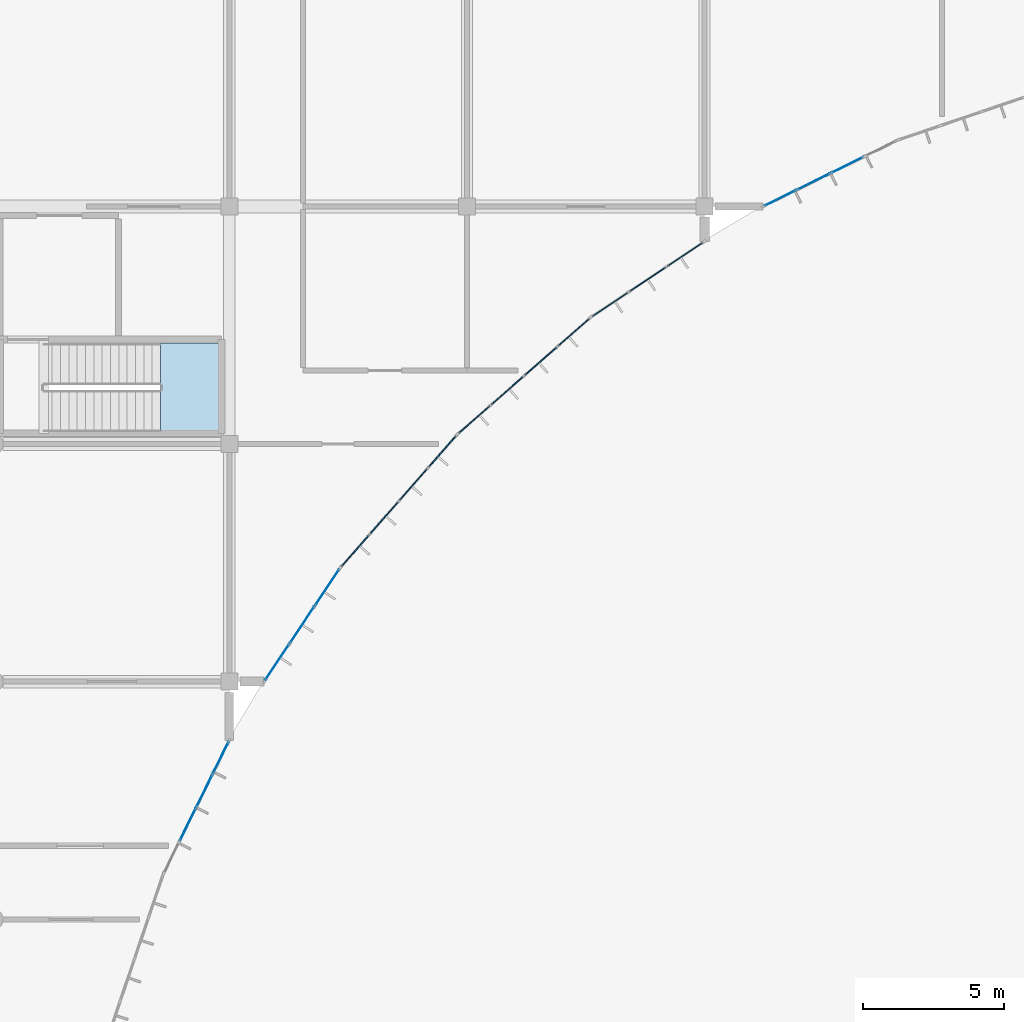
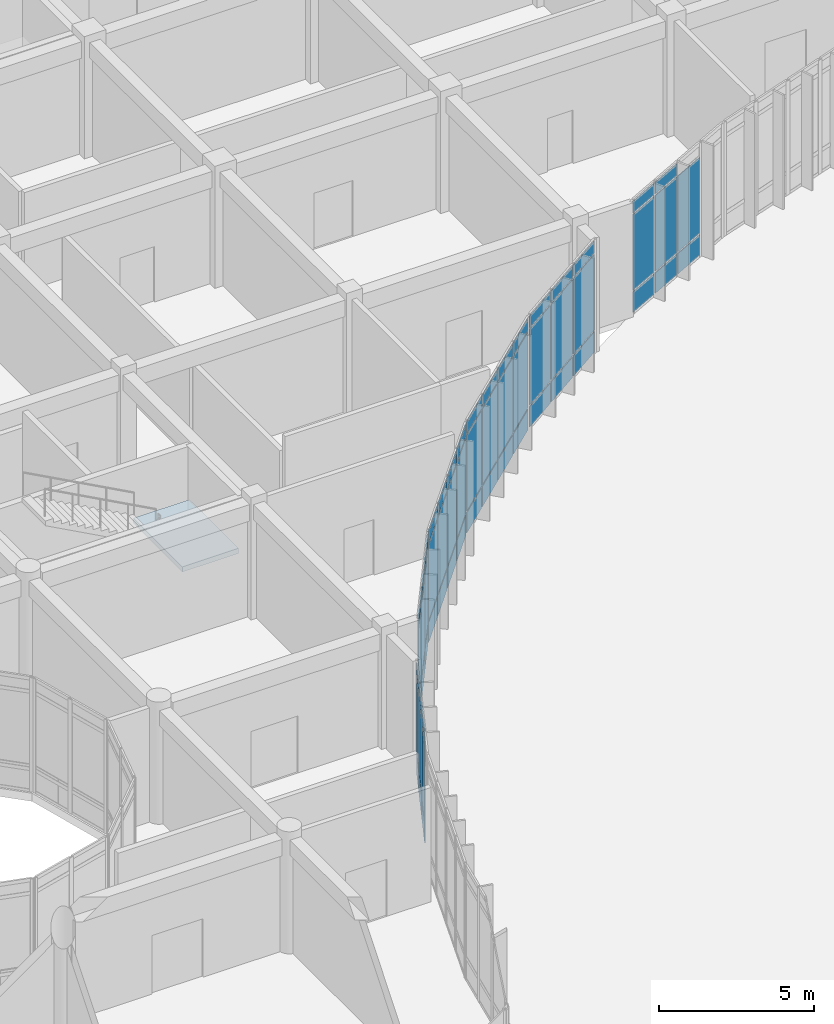
# One storey, part 80 of 138: 59 plates, 1 slab, 7 elements without a shape of their own.
"""IFC4 building model written with IfcOpenShell, lengths in metres."""

from ifc_helpers import new_model, si_unit, direction, frame, origin, origin_2d, place, context, subcontext, project, spatial, polyline, rectangle, outline, extrude, material, layer, layer_set, type_object, element, aggregate, save


model = new_model("IFC4")

# Units and contexts
model_context = context("Model", 3, precision=1e-05, world=origin(), true_north=direction((0.0, 1.0)))
body_context = subcontext(model_context, "Body", "Model", "MODEL_VIEW")
ifc_project = project(units=[si_unit("LENGTHUNIT", "METRE"), si_unit("AREAUNIT", "SQUARE_METRE"), si_unit("VOLUMEUNIT", "CUBIC_METRE"), si_unit("PLANEANGLEUNIT", "RADIAN"), si_unit("MASSUNIT", "GRAM", prefix="KILO")], contexts=[model_context])

# Site, building, storey
site_placement = place(None, origin())
site = spatial("IfcSite", under=ifc_project, at=site_placement, CompositionType="ELEMENT")
building_placement = place(site_placement, origin())
building = spatial("IfcBuilding", under=site, at=building_placement, Name="Bramfleet General Hospital", CompositionType="ELEMENT")
storey_placement = place(building_placement, origin())
storey = spatial("IfcBuildingStorey", under=building, at=storey_placement, Name="L00", CompositionType="ELEMENT", Elevation=0.0)

# Curtain wall, plates
ifc_material_1 = material(Name="Anodised aluminium and low-E triple glazing", Category="aluminium")
ifc_layer_1 = layer(ifc_material_1, 0.179931640625, Name="CWT-CW-13")
ifc_layer_set_1 = layer_set([ifc_layer_1], Name="Anodised aluminium and low-E triple glazing")
curtain_wall_type_1 = type_object("IfcCurtainWallType", Name="CWT-CW-13", PredefinedType="USERDEFINED", material=ifc_layer_set_1)
curtain_wall_1_placement = place(storey_placement, origin())
curtain_wall_1 = element("IfcCurtainWall", 1, at=curtain_wall_1_placement, inside=storey, type_object=curtain_wall_type_1, Name="L00 Curtain Wall 13", ObjectType="Stick curtain wall", PredefinedType="USERDEFINED")
ifc_material_2 = material(Name="Low-E laminated safety glass", Category="glass")
ifc_layer_2 = layer(ifc_material_2, 0.028076171875, Name="CWP-GLZ-1")
ifc_layer_set_2 = layer_set([ifc_layer_2], Name="Low-E laminated safety glass")
plate_type_1 = type_object("IfcPlateType", Name="CWP-GLZ-1", PredefinedType="CURTAIN_PANEL", material=ifc_layer_set_2)
plate_1_placement = place(storey_placement, frame((156.2470703125, 85.46630859375, 0.06494140625), z_axis=(0.0, 0.0, 1.0), x_axis=(-0.896864723513, -0.442304948782, 0.0)))
plate_1 = element("IfcPlate", 2, at=plate_1_placement, type_object=plate_type_1, Name="CW-13 panel 2.1", PredefinedType="CURTAIN_PANEL", context=body_context, shape_type="SweptSolid", body=[
    extrude(rectangle(XDim=1.256103515625, YDim=0.028076171875, at=origin_2d()), origin(), (0.0, 0.0, 1.0), 0.802490234375),
])
plate_2_placement = place(storey_placement, frame((156.2470703125, 85.46630859375, 0.932373046875), z_axis=(0.0, 0.0, 1.0), x_axis=(-0.896864723513, -0.442304948782, 0.0)))
plate_2 = element("IfcPlate", 3, at=plate_2_placement, type_object=plate_type_1, Name="CW-13 panel 2.2", PredefinedType="CURTAIN_PANEL", context=body_context, shape_type="SweptSolid", body=[
    extrude(rectangle(XDim=1.256103515625, YDim=0.028076171875, at=origin_2d()), origin(), (0.0, 0.0, 1.0), 2.97509765625),
])
plate_3_placement = place(storey_placement, frame((155.057861328125, 84.879638671875, 0.06494140625), z_axis=(0.0, 0.0, 1.0), x_axis=(-0.896864723513, -0.442304948782, 0.0)))
plate_3 = element("IfcPlate", 4, at=plate_3_placement, type_object=plate_type_1, Name="CW-13 panel 3.1", PredefinedType="CURTAIN_PANEL", context=body_context, shape_type="SweptSolid", body=[
    extrude(rectangle(XDim=1.256103515625, YDim=0.028076171875, at=origin_2d()), origin(), (0.0, 0.0, 1.0), 0.802490234375),
])
plate_4_placement = place(storey_placement, frame((155.057861328125, 84.879638671875, 0.932373046875), z_axis=(0.0, 0.0, 1.0), x_axis=(-0.896864723513, -0.442304948782, 0.0)))
plate_4 = element("IfcPlate", 5, at=plate_4_placement, type_object=plate_type_1, Name="CW-13 panel 3.2", PredefinedType="CURTAIN_PANEL", context=body_context, shape_type="SweptSolid", body=[
    extrude(rectangle(XDim=1.256103515625, YDim=0.028076171875, at=origin_2d()), origin(), (0.0, 0.0, 1.0), 2.97509765625),
])
plate_5_placement = place(storey_placement, frame((155.057861328125, 84.879638671875, 3.97265625), z_axis=(0.0, 0.0, 1.0), x_axis=(-0.896864723513, -0.442304948782, 0.0)))
plate_5 = element("IfcPlate", 6, at=plate_5_placement, type_object=plate_type_1, Name="CW-13 panel 3.3", PredefinedType="CURTAIN_PANEL", context=body_context, shape_type="SweptSolid", body=[
    extrude(rectangle(XDim=1.256103515625, YDim=0.028076171875, at=origin_2d()), origin(), (0.0, 0.0, 1.0), 0.452392578125),
])
plate_6_placement = place(storey_placement, frame((153.88427734375, 84.301025390625, 0.06494140625), z_axis=(0.0, 0.0, 1.0), x_axis=(-0.896864723513, -0.442304948782, 0.0)))
plate_6 = element("IfcPlate", 7, at=plate_6_placement, type_object=plate_type_1, Name="CW-13 panel 4.1", PredefinedType="CURTAIN_PANEL", context=body_context, shape_type="SweptSolid", body=[
    extrude(rectangle(XDim=1.220947265625, YDim=0.028076171875, at=origin_2d()), origin(), (0.0, 0.0, 1.0), 0.802490234375),
])
plate_7_placement = place(storey_placement, frame((153.88427734375, 84.301025390625, 0.932373046875), z_axis=(0.0, 0.0, 1.0), x_axis=(-0.896864723513, -0.442304948782, 0.0)))
plate_7 = element("IfcPlate", 8, at=plate_7_placement, type_object=plate_type_1, Name="CW-13 panel 4.2", PredefinedType="CURTAIN_PANEL", context=body_context, shape_type="SweptSolid", body=[
    extrude(rectangle(XDim=1.220947265625, YDim=0.028076171875, at=origin_2d()), origin(), (0.0, 0.0, 1.0), 2.97509765625),
])
plate_8_placement = place(storey_placement, frame((153.88427734375, 84.301025390625, 3.97265625), z_axis=(0.0, 0.0, 1.0), x_axis=(-0.896864723513, -0.442304948782, 0.0)))
plate_8 = element("IfcPlate", 9, at=plate_8_placement, type_object=plate_type_1, Name="CW-13 panel 4.3", PredefinedType="CURTAIN_PANEL", context=body_context, shape_type="SweptSolid", body=[
    extrude(rectangle(XDim=1.220947265625, YDim=0.028076171875, at=origin_2d()), origin(), (0.0, 0.0, 1.0), 0.452392578125),
])
aggregate(curtain_wall_1, [plate_1, plate_2, plate_3, plate_4, plate_5, plate_6, plate_7, plate_8])

ifc_layer_3 = layer(ifc_material_1, 0.179931640625, Name="CWT-CW-17")
ifc_layer_set_3 = layer_set([ifc_layer_3], Name="Anodised aluminium and low-E triple glazing")
curtain_wall_type_2 = type_object("IfcCurtainWallType", Name="CWT-CW-17", PredefinedType="USERDEFINED", material=ifc_layer_set_3)
curtain_wall_2_placement = place(storey_placement, origin())
curtain_wall_2 = element("IfcCurtainWall", 10, at=curtain_wall_2_placement, inside=storey, type_object=curtain_wall_type_2, Name="L00 Curtain Wall 17", ObjectType="Stick curtain wall", PredefinedType="USERDEFINED")
plate_9_placement = place(storey_placement, frame((137.861572265625, 70.536376953125, 0.06494140625), z_axis=(0.0, 0.0, 1.0), x_axis=(-0.555463530135, -0.831540898988, 0.0)))
plate_9 = element("IfcPlate", 11, at=plate_9_placement, type_object=plate_type_1, Name="CW-17 panel 1.1", PredefinedType="CURTAIN_PANEL", context=body_context, shape_type="SweptSolid", body=[
    extrude(rectangle(XDim=1.5068359375, YDim=0.028076171875, at=origin_2d()), origin(), (0.0, 0.0, 1.0), 0.802490234375),
])
plate_10_placement = place(storey_placement, frame((137.861572265625, 70.536376953125, 0.932373046875), z_axis=(0.0, 0.0, 1.0), x_axis=(-0.555463530135, -0.831540898988, 0.0)))
plate_10 = element("IfcPlate", 12, at=plate_10_placement, type_object=plate_type_1, Name="CW-17 panel 1.2", PredefinedType="CURTAIN_PANEL", context=body_context, shape_type="SweptSolid", body=[
    extrude(rectangle(XDim=1.5068359375, YDim=0.028076171875, at=origin_2d()), origin(), (0.0, 0.0, 1.0), 2.97509765625),
])
plate_11_placement = place(storey_placement, frame((137.861572265625, 70.536376953125, 3.97265625), z_axis=(0.0, 0.0, 1.0), x_axis=(-0.555463530135, -0.831540898988, 0.0)))
plate_11 = element("IfcPlate", 13, at=plate_11_placement, type_object=plate_type_1, Name="CW-17 panel 1.3", PredefinedType="CURTAIN_PANEL", context=body_context, shape_type="SweptSolid", body=[
    extrude(rectangle(XDim=1.5068359375, YDim=0.028076171875, at=origin_2d()), origin(), (0.0, 0.0, 1.0), 0.452392578125),
])
plate_12_placement = place(storey_placement, frame((136.97607421875, 69.21044921875, 0.06494140625), z_axis=(0.0, 0.0, 1.0), x_axis=(-0.555463530135, -0.831540898988, 0.0)))
plate_12 = element("IfcPlate", 14, at=plate_12_placement, type_object=plate_type_1, Name="CW-17 panel 2.1", PredefinedType="CURTAIN_PANEL", context=body_context, shape_type="SweptSolid", body=[
    extrude(rectangle(XDim=1.541748046875, YDim=0.028076171875, at=origin_2d()), origin(), (0.0, 0.0, 1.0), 0.802490234375),
])
plate_13_placement = place(storey_placement, frame((136.97607421875, 69.21044921875, 0.932373046875), z_axis=(0.0, 0.0, 1.0), x_axis=(-0.555463530135, -0.831540898988, 0.0)))
plate_13 = element("IfcPlate", 15, at=plate_13_placement, type_object=plate_type_1, Name="CW-17 panel 2.2", PredefinedType="CURTAIN_PANEL", context=body_context, shape_type="SweptSolid", body=[
    extrude(rectangle(XDim=1.541748046875, YDim=0.028076171875, at=origin_2d()), origin(), (0.0, 0.0, 1.0), 2.97509765625),
])
plate_14_placement = place(storey_placement, frame((136.97607421875, 69.21044921875, 3.97265625), z_axis=(0.0, 0.0, 1.0), x_axis=(-0.555463530135, -0.831540898988, 0.0)))
plate_14 = element("IfcPlate", 16, at=plate_14_placement, type_object=plate_type_1, Name="CW-17 panel 2.3", PredefinedType="CURTAIN_PANEL", context=body_context, shape_type="SweptSolid", body=[
    extrude(rectangle(XDim=1.541748046875, YDim=0.028076171875, at=origin_2d()), origin(), (0.0, 0.0, 1.0), 0.452392578125),
])
plate_15_placement = place(storey_placement, frame((136.09033203125, 67.884765625, 0.06494140625), z_axis=(0.0, 0.0, 1.0), x_axis=(-0.555463530135, -0.831540898988, 0.0)))
plate_15 = element("IfcPlate", 17, at=plate_15_placement, type_object=plate_type_1, Name="CW-17 panel 3.1", PredefinedType="CURTAIN_PANEL", context=body_context, shape_type="SweptSolid", body=[
    extrude(rectangle(XDim=1.5068359375, YDim=0.028076171875, at=origin_2d()), origin(), (0.0, 0.0, 1.0), 0.802490234375),
])
plate_16_placement = place(storey_placement, frame((136.09033203125, 67.884765625, 0.932373046875), z_axis=(0.0, 0.0, 1.0), x_axis=(-0.555463530135, -0.831540898988, 0.0)))
plate_16 = element("IfcPlate", 18, at=plate_16_placement, type_object=plate_type_1, Name="CW-17 panel 3.2", PredefinedType="CURTAIN_PANEL", context=body_context, shape_type="SweptSolid", body=[
    extrude(rectangle(XDim=1.5068359375, YDim=0.028076171875, at=origin_2d()), origin(), (0.0, 0.0, 1.0), 2.97509765625),
])
plate_17_placement = place(storey_placement, frame((136.09033203125, 67.884765625, 3.97265625), z_axis=(0.0, 0.0, 1.0), x_axis=(-0.555463530135, -0.831540898988, 0.0)))
plate_17 = element("IfcPlate", 19, at=plate_17_placement, type_object=plate_type_1, Name="CW-17 panel 3.3", PredefinedType="CURTAIN_PANEL", context=body_context, shape_type="SweptSolid", body=[
    extrude(rectangle(XDim=1.5068359375, YDim=0.028076171875, at=origin_2d()), origin(), (0.0, 0.0, 1.0), 0.452392578125),
])
aggregate(curtain_wall_2, [plate_9, plate_10, plate_11, plate_12, plate_13, plate_14, plate_15, plate_16, plate_17])

ifc_layer_4 = layer(ifc_material_1, 0.179931640625, Name="CWT-CW-14")
ifc_layer_set_4 = layer_set([ifc_layer_4], Name="Anodised aluminium and low-E triple glazing")
curtain_wall_type_3 = type_object("IfcCurtainWallType", Name="CWT-CW-14", PredefinedType="USERDEFINED", material=ifc_layer_set_4)
curtain_wall_3_placement = place(storey_placement, origin())
curtain_wall_3 = element("IfcCurtainWall", 20, at=curtain_wall_3_placement, inside=storey, type_object=curtain_wall_type_3, Name="L00 Curtain Wall 14", ObjectType="Stick curtain wall", PredefinedType="USERDEFINED")
ifc_layer_5 = layer(ifc_material_2, 0.031982421875, Name="CWP-GLZ-2")
ifc_layer_set_5 = layer_set([ifc_layer_5], Name="Low-E laminated safety glass")
plate_type_2 = type_object("IfcPlateType", Name="CWP-GLZ-2", PredefinedType="CURTAIN_PANEL", material=ifc_layer_set_5)
plate_18_placement = place(storey_placement, frame((150.515380859375, 82.3095703125, 0.06494140625), z_axis=(0.0, 0.0, 1.0), x_axis=(-0.831540898988, -0.555463530135, 0.0)))
plate_18 = element("IfcPlate", 21, at=plate_18_placement, type_object=plate_type_2, Name="CW-14 panel 1.1", PredefinedType="CURTAIN_PANEL", context=body_context, shape_type="SweptSolid", body=[
    extrude(rectangle(XDim=1.5068359375, YDim=0.031982421875, at=origin_2d()), origin(), (0.0, 0.0, 1.0), 0.802490234375),
])
plate_19_placement = place(storey_placement, frame((150.515380859375, 82.3095703125, 0.932373046875), z_axis=(0.0, 0.0, 1.0), x_axis=(-0.831540898988, -0.555463530135, 0.0)))
plate_19 = element("IfcPlate", 22, at=plate_19_placement, type_object=plate_type_2, Name="CW-14 panel 1.2", PredefinedType="CURTAIN_PANEL", context=body_context, shape_type="SweptSolid", body=[
    extrude(rectangle(XDim=1.5068359375, YDim=0.031982421875, at=origin_2d()), origin(), (0.0, 0.0, 1.0), 2.97509765625),
])
plate_20_placement = place(storey_placement, frame((150.515380859375, 82.3095703125, 3.97265625), z_axis=(0.0, 0.0, 1.0), x_axis=(-0.831540898988, -0.555463530135, 0.0)))
plate_20 = element("IfcPlate", 23, at=plate_20_placement, type_object=plate_type_2, Name="CW-14 panel 1.3", PredefinedType="CURTAIN_PANEL", context=body_context, shape_type="SweptSolid", body=[
    extrude(rectangle(XDim=1.5068359375, YDim=0.031982421875, at=origin_2d()), origin(), (0.0, 0.0, 1.0), 0.452392578125),
])
plate_21_placement = place(storey_placement, frame((149.189453125, 81.424072265625, 0.06494140625), z_axis=(0.0, 0.0, 1.0), x_axis=(-0.831540898988, -0.555463530135, 0.0)))
plate_21 = element("IfcPlate", 24, at=plate_21_placement, type_object=plate_type_2, Name="CW-14 panel 2.1", PredefinedType="CURTAIN_PANEL", context=body_context, shape_type="SweptSolid", body=[
    extrude(rectangle(XDim=1.541748046875, YDim=0.031982421875, at=origin_2d()), origin(), (0.0, 0.0, 1.0), 0.802490234375),
])
plate_22_placement = place(storey_placement, frame((149.189453125, 81.424072265625, 0.932373046875), z_axis=(0.0, 0.0, 1.0), x_axis=(-0.831540898988, -0.555463530135, 0.0)))
plate_22 = element("IfcPlate", 25, at=plate_22_placement, type_object=plate_type_2, Name="CW-14 panel 2.2", PredefinedType="CURTAIN_PANEL", context=body_context, shape_type="SweptSolid", body=[
    extrude(rectangle(XDim=1.541748046875, YDim=0.031982421875, at=origin_2d()), origin(), (0.0, 0.0, 1.0), 2.97509765625),
])
plate_23_placement = place(storey_placement, frame((149.189453125, 81.424072265625, 3.97265625), z_axis=(0.0, 0.0, 1.0), x_axis=(-0.831540898988, -0.555463530135, 0.0)))
plate_23 = element("IfcPlate", 26, at=plate_23_placement, type_object=plate_type_2, Name="CW-14 panel 2.3", PredefinedType="CURTAIN_PANEL", context=body_context, shape_type="SweptSolid", body=[
    extrude(rectangle(XDim=1.541748046875, YDim=0.031982421875, at=origin_2d()), origin(), (0.0, 0.0, 1.0), 0.452392578125),
])
plate_24_placement = place(storey_placement, frame((147.86376953125, 80.538330078125, 0.06494140625), z_axis=(0.0, 0.0, 1.0), x_axis=(-0.831540898988, -0.555463530135, 0.0)))
plate_24 = element("IfcPlate", 27, at=plate_24_placement, type_object=plate_type_2, Name="CW-14 panel 3.1", PredefinedType="CURTAIN_PANEL", context=body_context, shape_type="SweptSolid", body=[
    extrude(rectangle(XDim=1.5068359375, YDim=0.031982421875, at=origin_2d()), origin(), (0.0, 0.0, 1.0), 0.802490234375),
])
plate_25_placement = place(storey_placement, frame((147.86376953125, 80.538330078125, 0.932373046875), z_axis=(0.0, 0.0, 1.0), x_axis=(-0.831540898988, -0.555463530135, 0.0)))
plate_25 = element("IfcPlate", 28, at=plate_25_placement, type_object=plate_type_2, Name="CW-14 panel 3.2", PredefinedType="CURTAIN_PANEL", context=body_context, shape_type="SweptSolid", body=[
    extrude(rectangle(XDim=1.5068359375, YDim=0.031982421875, at=origin_2d()), origin(), (0.0, 0.0, 1.0), 2.97509765625),
])
plate_26_placement = place(storey_placement, frame((147.86376953125, 80.538330078125, 3.97265625), z_axis=(0.0, 0.0, 1.0), x_axis=(-0.831540898988, -0.555463530135, 0.0)))
plate_26 = element("IfcPlate", 29, at=plate_26_placement, type_object=plate_type_2, Name="CW-14 panel 3.3", PredefinedType="CURTAIN_PANEL", context=body_context, shape_type="SweptSolid", body=[
    extrude(rectangle(XDim=1.5068359375, YDim=0.031982421875, at=origin_2d()), origin(), (0.0, 0.0, 1.0), 0.452392578125),
])
aggregate(curtain_wall_3, [plate_18, plate_19, plate_20, plate_21, plate_22, plate_23, plate_24, plate_25, plate_26])

ifc_layer_6 = layer(ifc_material_1, 0.179931640625, Name="CWT-CW-18")
ifc_layer_set_6 = layer_set([ifc_layer_6], Name="Anodised aluminium and low-E triple glazing")
curtain_wall_type_4 = type_object("IfcCurtainWallType", Name="CWT-CW-18", PredefinedType="USERDEFINED", material=ifc_layer_set_6)
curtain_wall_4_placement = place(storey_placement, origin())
curtain_wall_4 = element("IfcCurtainWall", 30, at=curtain_wall_4_placement, inside=storey, type_object=curtain_wall_type_4, Name="L00 Curtain Wall 18", ObjectType="Stick curtain wall", PredefinedType="USERDEFINED")
plate_27_placement = place(storey_placement, frame((134.09912109375, 64.515625, 0.06494140625), z_axis=(0.0, 0.0, 1.0), x_axis=(-0.442304948782, -0.896864723513, 0.0)))
plate_27 = element("IfcPlate", 31, at=plate_27_placement, type_object=plate_type_2, Name="CW-18 panel 1.1", PredefinedType="CURTAIN_PANEL", context=body_context, shape_type="SweptSolid", body=[
    extrude(rectangle(XDim=1.220947265625, YDim=0.031982421875, at=origin_2d()), origin(), (0.0, 0.0, 1.0), 0.802490234375),
])
plate_28_placement = place(storey_placement, frame((134.09912109375, 64.515625, 0.932373046875), z_axis=(0.0, 0.0, 1.0), x_axis=(-0.442304948782, -0.896864723513, 0.0)))
plate_28 = element("IfcPlate", 32, at=plate_28_placement, type_object=plate_type_2, Name="CW-18 panel 1.2", PredefinedType="CURTAIN_PANEL", context=body_context, shape_type="SweptSolid", body=[
    extrude(rectangle(XDim=1.220947265625, YDim=0.031982421875, at=origin_2d()), origin(), (0.0, 0.0, 1.0), 2.97509765625),
])
plate_29_placement = place(storey_placement, frame((134.09912109375, 64.515625, 3.97265625), z_axis=(0.0, 0.0, 1.0), x_axis=(-0.442304948782, -0.896864723513, 0.0)))
plate_29 = element("IfcPlate", 33, at=plate_29_placement, type_object=plate_type_2, Name="CW-18 panel 1.3", PredefinedType="CURTAIN_PANEL", context=body_context, shape_type="SweptSolid", body=[
    extrude(rectangle(XDim=1.220947265625, YDim=0.031982421875, at=origin_2d()), origin(), (0.0, 0.0, 1.0), 0.452392578125),
])
plate_30_placement = place(storey_placement, frame((133.520263671875, 63.342041015625, 0.06494140625), z_axis=(0.0, 0.0, 1.0), x_axis=(-0.442304948782, -0.896864723513, 0.0)))
plate_30 = element("IfcPlate", 34, at=plate_30_placement, type_object=plate_type_2, Name="CW-18 panel 2.1", PredefinedType="CURTAIN_PANEL", context=body_context, shape_type="SweptSolid", body=[
    extrude(rectangle(XDim=1.256103515625, YDim=0.031982421875, at=origin_2d()), origin(), (0.0, 0.0, 1.0), 0.802490234375),
])
plate_31_placement = place(storey_placement, frame((133.520263671875, 63.342041015625, 0.932373046875), z_axis=(0.0, 0.0, 1.0), x_axis=(-0.442304948782, -0.896864723513, 0.0)))
plate_31 = element("IfcPlate", 35, at=plate_31_placement, type_object=plate_type_2, Name="CW-18 panel 2.2", PredefinedType="CURTAIN_PANEL", context=body_context, shape_type="SweptSolid", body=[
    extrude(rectangle(XDim=1.256103515625, YDim=0.031982421875, at=origin_2d()), origin(), (0.0, 0.0, 1.0), 2.97509765625),
])
plate_32_placement = place(storey_placement, frame((133.520263671875, 63.342041015625, 3.97265625), z_axis=(0.0, 0.0, 1.0), x_axis=(-0.442304948782, -0.896864723513, 0.0)))
plate_32 = element("IfcPlate", 36, at=plate_32_placement, type_object=plate_type_2, Name="CW-18 panel 2.3", PredefinedType="CURTAIN_PANEL", context=body_context, shape_type="SweptSolid", body=[
    extrude(rectangle(XDim=1.256103515625, YDim=0.031982421875, at=origin_2d()), origin(), (0.0, 0.0, 1.0), 0.452392578125),
])
plate_33_placement = place(storey_placement, frame((132.933837890625, 62.15283203125, 0.06494140625), z_axis=(0.0, 0.0, 1.0), x_axis=(-0.442304948782, -0.896864723513, 0.0)))
plate_33 = element("IfcPlate", 37, at=plate_33_placement, type_object=plate_type_2, Name="CW-18 panel 3.1", PredefinedType="CURTAIN_PANEL", context=body_context, shape_type="SweptSolid", body=[
    extrude(rectangle(XDim=1.256103515625, YDim=0.031982421875, at=origin_2d()), origin(), (0.0, 0.0, 1.0), 0.802490234375),
])
plate_34_placement = place(storey_placement, frame((132.933837890625, 62.15283203125, 0.932373046875), z_axis=(0.0, 0.0, 1.0), x_axis=(-0.442304948782, -0.896864723513, 0.0)))
plate_34 = element("IfcPlate", 38, at=plate_34_placement, type_object=plate_type_2, Name="CW-18 panel 3.2", PredefinedType="CURTAIN_PANEL", context=body_context, shape_type="SweptSolid", body=[
    extrude(rectangle(XDim=1.256103515625, YDim=0.031982421875, at=origin_2d()), origin(), (0.0, 0.0, 1.0), 2.97509765625),
])
plate_35_placement = place(storey_placement, frame((132.933837890625, 62.15283203125, 3.97265625), z_axis=(0.0, 0.0, 1.0), x_axis=(-0.442304948782, -0.896864723513, 0.0)))
plate_35 = element("IfcPlate", 39, at=plate_35_placement, type_object=plate_type_2, Name="CW-18 panel 3.3", PredefinedType="CURTAIN_PANEL", context=body_context, shape_type="SweptSolid", body=[
    extrude(rectangle(XDim=1.256103515625, YDim=0.031982421875, at=origin_2d()), origin(), (0.0, 0.0, 1.0), 0.452392578125),
])
aggregate(curtain_wall_4, [plate_27, plate_28, plate_29, plate_30, plate_31, plate_32, plate_33, plate_34, plate_35])

ifc_layer_7 = layer(ifc_material_1, 0.179931640625, Name="CWT-CW-15")
ifc_layer_set_7 = layer_set([ifc_layer_7], Name="Anodised aluminium and low-E triple glazing")
curtain_wall_type_5 = type_object("IfcCurtainWallType", Name="CWT-CW-15", PredefinedType="USERDEFINED", material=ifc_layer_set_7)
curtain_wall_5_placement = place(storey_placement, origin())
curtain_wall_5 = element("IfcCurtainWall", 40, at=curtain_wall_5_placement, inside=storey, type_object=curtain_wall_type_5, Name="L00 Curtain Wall 15", ObjectType="Stick curtain wall", PredefinedType="USERDEFINED")
ifc_layer_8 = layer(ifc_material_2, 0.035888671875, Name="CWP-GLZ-3")
ifc_layer_set_8 = layer_set([ifc_layer_8], Name="Low-E laminated safety glass")
plate_type_3 = type_object("IfcPlateType", Name="CWP-GLZ-3", PredefinedType="CURTAIN_PANEL", material=ifc_layer_set_8)
plate_36_placement = place(storey_placement, frame((146.575927734375, 79.552001953125, 0.06494140625), z_axis=(0.0, 0.0, 1.0), x_axis=(-0.75178681735, -0.659406233864, 0.0)))
plate_36 = element("IfcPlate", 41, at=plate_36_placement, type_object=plate_type_3, Name="CW-15 panel 1.1", PredefinedType="CURTAIN_PANEL", context=body_context, shape_type="SweptSolid", body=[
    extrude(rectangle(XDim=1.464599609375, YDim=0.035888671875, at=origin_2d()), origin(), (0.0, 0.0, 1.0), 0.802490234375),
])
plate_37_placement = place(storey_placement, frame((146.575927734375, 79.552001953125, 0.932373046875), z_axis=(0.0, 0.0, 1.0), x_axis=(-0.75178681735, -0.659406233864, 0.0)))
plate_37 = element("IfcPlate", 42, at=plate_37_placement, type_object=plate_type_3, Name="CW-15 panel 1.2", PredefinedType="CURTAIN_PANEL", context=body_context, shape_type="SweptSolid", body=[
    extrude(rectangle(XDim=1.464599609375, YDim=0.035888671875, at=origin_2d()), origin(), (0.0, 0.0, 1.0), 2.97509765625),
])
plate_38_placement = place(storey_placement, frame((146.575927734375, 79.552001953125, 3.97265625), z_axis=(0.0, 0.0, 1.0), x_axis=(-0.75178681735, -0.659406233864, 0.0)))
plate_38 = element("IfcPlate", 43, at=plate_38_placement, type_object=plate_type_3, Name="CW-15 panel 1.3", PredefinedType="CURTAIN_PANEL", context=body_context, shape_type="SweptSolid", body=[
    extrude(rectangle(XDim=1.464599609375, YDim=0.035888671875, at=origin_2d()), origin(), (0.0, 0.0, 1.0), 0.452392578125),
])
plate_39_placement = place(storey_placement, frame((145.408935546875, 78.528564453125, 0.06494140625), z_axis=(0.0, 0.0, 1.0), x_axis=(-0.75178681735, -0.659406233864, 0.0)))
plate_39 = element("IfcPlate", 44, at=plate_39_placement, type_object=plate_type_3, Name="CW-15 panel 2.1", PredefinedType="CURTAIN_PANEL", context=body_context, shape_type="SweptSolid", body=[
    extrude(rectangle(XDim=1.49951171875, YDim=0.035888671875, at=origin_2d()), origin(), (0.0, 0.0, 1.0), 0.802490234375),
])
plate_40_placement = place(storey_placement, frame((145.408935546875, 78.528564453125, 0.932373046875), z_axis=(0.0, 0.0, 1.0), x_axis=(-0.75178681735, -0.659406233864, 0.0)))
plate_40 = element("IfcPlate", 45, at=plate_40_placement, type_object=plate_type_3, Name="CW-15 panel 2.2", PredefinedType="CURTAIN_PANEL", context=body_context, shape_type="SweptSolid", body=[
    extrude(rectangle(XDim=1.49951171875, YDim=0.035888671875, at=origin_2d()), origin(), (0.0, 0.0, 1.0), 2.97509765625),
])
plate_41_placement = place(storey_placement, frame((145.408935546875, 78.528564453125, 3.97265625), z_axis=(0.0, 0.0, 1.0), x_axis=(-0.75178681735, -0.659406233864, 0.0)))
plate_41 = element("IfcPlate", 46, at=plate_41_placement, type_object=plate_type_3, Name="CW-15 panel 2.3", PredefinedType="CURTAIN_PANEL", context=body_context, shape_type="SweptSolid", body=[
    extrude(rectangle(XDim=1.49951171875, YDim=0.035888671875, at=origin_2d()), origin(), (0.0, 0.0, 1.0), 0.452392578125),
])
plate_42_placement = place(storey_placement, frame((144.22900390625, 77.493408203125, 0.06494140625), z_axis=(0.0, 0.0, 1.0), x_axis=(-0.75178681735, -0.659406233864, 0.0)))
plate_42 = element("IfcPlate", 47, at=plate_42_placement, type_object=plate_type_3, Name="CW-15 panel 3.1", PredefinedType="CURTAIN_PANEL", context=body_context, shape_type="SweptSolid", body=[
    extrude(rectangle(XDim=1.49951171875, YDim=0.035888671875, at=origin_2d()), origin(), (0.0, 0.0, 1.0), 0.802490234375),
])
plate_43_placement = place(storey_placement, frame((144.22900390625, 77.493408203125, 0.932373046875), z_axis=(0.0, 0.0, 1.0), x_axis=(-0.75178681735, -0.659406233864, 0.0)))
plate_43 = element("IfcPlate", 48, at=plate_43_placement, type_object=plate_type_3, Name="CW-15 panel 3.2", PredefinedType="CURTAIN_PANEL", context=body_context, shape_type="SweptSolid", body=[
    extrude(rectangle(XDim=1.49951171875, YDim=0.035888671875, at=origin_2d()), origin(), (0.0, 0.0, 1.0), 2.97509765625),
])
plate_44_placement = place(storey_placement, frame((144.22900390625, 77.493408203125, 3.97265625), z_axis=(0.0, 0.0, 1.0), x_axis=(-0.75178681735, -0.659406233864, 0.0)))
plate_44 = element("IfcPlate", 49, at=plate_44_placement, type_object=plate_type_3, Name="CW-15 panel 3.3", PredefinedType="CURTAIN_PANEL", context=body_context, shape_type="SweptSolid", body=[
    extrude(rectangle(XDim=1.49951171875, YDim=0.035888671875, at=origin_2d()), origin(), (0.0, 0.0, 1.0), 0.452392578125),
])
plate_45_placement = place(storey_placement, frame((143.062255859375, 76.469970703125, 0.06494140625), z_axis=(0.0, 0.0, 1.0), x_axis=(-0.75178681735, -0.659406233864, 0.0)))
plate_45 = element("IfcPlate", 50, at=plate_45_placement, type_object=plate_type_3, Name="CW-15 panel 4.1", PredefinedType="CURTAIN_PANEL", context=body_context, shape_type="SweptSolid", body=[
    extrude(rectangle(XDim=1.464599609375, YDim=0.035888671875, at=origin_2d()), origin(), (0.0, 0.0, 1.0), 0.802490234375),
])
plate_46_placement = place(storey_placement, frame((143.062255859375, 76.469970703125, 0.932373046875), z_axis=(0.0, 0.0, 1.0), x_axis=(-0.75178681735, -0.659406233864, 0.0)))
plate_46 = element("IfcPlate", 51, at=plate_46_placement, type_object=plate_type_3, Name="CW-15 panel 4.2", PredefinedType="CURTAIN_PANEL", context=body_context, shape_type="SweptSolid", body=[
    extrude(rectangle(XDim=1.464599609375, YDim=0.035888671875, at=origin_2d()), origin(), (0.0, 0.0, 1.0), 2.97509765625),
])
plate_47_placement = place(storey_placement, frame((143.062255859375, 76.469970703125, 3.97265625), z_axis=(0.0, 0.0, 1.0), x_axis=(-0.75178681735, -0.659406233864, 0.0)))
plate_47 = element("IfcPlate", 52, at=plate_47_placement, type_object=plate_type_3, Name="CW-15 panel 4.3", PredefinedType="CURTAIN_PANEL", context=body_context, shape_type="SweptSolid", body=[
    extrude(rectangle(XDim=1.464599609375, YDim=0.035888671875, at=origin_2d()), origin(), (0.0, 0.0, 1.0), 0.452392578125),
])
aggregate(curtain_wall_5, [plate_36, plate_37, plate_38, plate_39, plate_40, plate_41, plate_42, plate_43, plate_44, plate_45, plate_46, plate_47])

ifc_layer_9 = layer(ifc_material_1, 0.179931640625, Name="CWT-CW-16")
ifc_layer_set_9 = layer_set([ifc_layer_9], Name="Anodised aluminium and low-E triple glazing")
curtain_wall_type_6 = type_object("IfcCurtainWallType", Name="CWT-CW-16", PredefinedType="USERDEFINED", material=ifc_layer_set_9)
curtain_wall_6_placement = place(storey_placement, origin())
curtain_wall_6 = element("IfcCurtainWall", 53, at=curtain_wall_6_placement, inside=storey, type_object=curtain_wall_type_6, Name="L00 Curtain Wall 16", ObjectType="Stick curtain wall", PredefinedType="USERDEFINED")
ifc_layer_10 = layer(ifc_material_2, 0.0419921875, Name="CWP-GLZ-4")
ifc_layer_set_10 = layer_set([ifc_layer_10], Name="Low-E laminated safety glass")
plate_type_4 = type_object("IfcPlateType", Name="CWP-GLZ-4", PredefinedType="CURTAIN_PANEL", material=ifc_layer_set_10)
plate_48_placement = place(storey_placement, frame((141.929931640625, 75.337890625, 0.06494140625), z_axis=(0.0, 0.0, 1.0), x_axis=(-0.659406233864, -0.75178681735, 0.0)))
plate_48 = element("IfcPlate", 54, at=plate_48_placement, type_object=plate_type_4, Name="CW-16 panel 1.1", PredefinedType="CURTAIN_PANEL", context=body_context, shape_type="SweptSolid", body=[
    extrude(rectangle(XDim=1.464599609375, YDim=0.0419921875, at=origin_2d()), origin(), (0.0, 0.0, 1.0), 0.802490234375),
])
plate_49_placement = place(storey_placement, frame((141.929931640625, 75.337890625, 0.932373046875), z_axis=(0.0, 0.0, 1.0), x_axis=(-0.659406233864, -0.75178681735, 0.0)))
plate_49 = element("IfcPlate", 55, at=plate_49_placement, type_object=plate_type_4, Name="CW-16 panel 1.2", PredefinedType="CURTAIN_PANEL", context=body_context, shape_type="SweptSolid", body=[
    extrude(rectangle(XDim=1.464599609375, YDim=0.0419921875, at=origin_2d()), origin(), (0.0, 0.0, 1.0), 2.97509765625),
])
plate_50_placement = place(storey_placement, frame((141.929931640625, 75.337890625, 3.97265625), z_axis=(0.0, 0.0, 1.0), x_axis=(-0.659406233864, -0.75178681735, 0.0)))
plate_50 = element("IfcPlate", 56, at=plate_50_placement, type_object=plate_type_4, Name="CW-16 panel 1.3", PredefinedType="CURTAIN_PANEL", context=body_context, shape_type="SweptSolid", body=[
    extrude(rectangle(XDim=1.464599609375, YDim=0.0419921875, at=origin_2d()), origin(), (0.0, 0.0, 1.0), 0.452392578125),
])
plate_51_placement = place(storey_placement, frame((140.906494140625, 74.1708984375, 0.06494140625), z_axis=(0.0, 0.0, 1.0), x_axis=(-0.659406233864, -0.75178681735, 0.0)))
plate_51 = element("IfcPlate", 57, at=plate_51_placement, type_object=plate_type_4, Name="CW-16 panel 2.1", PredefinedType="CURTAIN_PANEL", context=body_context, shape_type="SweptSolid", body=[
    extrude(rectangle(XDim=1.49951171875, YDim=0.0419921875, at=origin_2d()), origin(), (0.0, 0.0, 1.0), 0.802490234375),
])
plate_52_placement = place(storey_placement, frame((140.906494140625, 74.1708984375, 0.932373046875), z_axis=(0.0, 0.0, 1.0), x_axis=(-0.659406233864, -0.75178681735, 0.0)))
plate_52 = element("IfcPlate", 58, at=plate_52_placement, type_object=plate_type_4, Name="CW-16 panel 2.2", PredefinedType="CURTAIN_PANEL", context=body_context, shape_type="SweptSolid", body=[
    extrude(rectangle(XDim=1.49951171875, YDim=0.0419921875, at=origin_2d()), origin(), (0.0, 0.0, 1.0), 2.97509765625),
])
plate_53_placement = place(storey_placement, frame((140.906494140625, 74.1708984375, 3.97265625), z_axis=(0.0, 0.0, 1.0), x_axis=(-0.659406233864, -0.75178681735, 0.0)))
plate_53 = element("IfcPlate", 59, at=plate_53_placement, type_object=plate_type_4, Name="CW-16 panel 2.3", PredefinedType="CURTAIN_PANEL", context=body_context, shape_type="SweptSolid", body=[
    extrude(rectangle(XDim=1.49951171875, YDim=0.0419921875, at=origin_2d()), origin(), (0.0, 0.0, 1.0), 0.452392578125),
])
plate_54_placement = place(storey_placement, frame((139.87158203125, 72.990966796875, 0.06494140625), z_axis=(0.0, 0.0, 1.0), x_axis=(-0.659406233864, -0.75178681735, 0.0)))
plate_54 = element("IfcPlate", 60, at=plate_54_placement, type_object=plate_type_4, Name="CW-16 panel 3.1", PredefinedType="CURTAIN_PANEL", context=body_context, shape_type="SweptSolid", body=[
    extrude(rectangle(XDim=1.49951171875, YDim=0.0419921875, at=origin_2d()), origin(), (0.0, 0.0, 1.0), 0.802490234375),
])
plate_55_placement = place(storey_placement, frame((139.87158203125, 72.990966796875, 0.932373046875), z_axis=(0.0, 0.0, 1.0), x_axis=(-0.659406233864, -0.75178681735, 0.0)))
plate_55 = element("IfcPlate", 61, at=plate_55_placement, type_object=plate_type_4, Name="CW-16 panel 3.2", PredefinedType="CURTAIN_PANEL", context=body_context, shape_type="SweptSolid", body=[
    extrude(rectangle(XDim=1.49951171875, YDim=0.0419921875, at=origin_2d()), origin(), (0.0, 0.0, 1.0), 2.97509765625),
])
plate_56_placement = place(storey_placement, frame((139.87158203125, 72.990966796875, 3.97265625), z_axis=(0.0, 0.0, 1.0), x_axis=(-0.659406233864, -0.75178681735, 0.0)))
plate_56 = element("IfcPlate", 62, at=plate_56_placement, type_object=plate_type_4, Name="CW-16 panel 3.3", PredefinedType="CURTAIN_PANEL", context=body_context, shape_type="SweptSolid", body=[
    extrude(rectangle(XDim=1.49951171875, YDim=0.0419921875, at=origin_2d()), origin(), (0.0, 0.0, 1.0), 0.452392578125),
])
plate_57_placement = place(storey_placement, frame((138.84814453125, 71.82421875, 0.06494140625), z_axis=(0.0, 0.0, 1.0), x_axis=(-0.659406233864, -0.75178681735, 0.0)))
plate_57 = element("IfcPlate", 63, at=plate_57_placement, type_object=plate_type_4, Name="CW-16 panel 4.1", PredefinedType="CURTAIN_PANEL", context=body_context, shape_type="SweptSolid", body=[
    extrude(rectangle(XDim=1.464599609375, YDim=0.0419921875, at=origin_2d()), origin(), (0.0, 0.0, 1.0), 0.802490234375),
])
plate_58_placement = place(storey_placement, frame((138.84814453125, 71.82421875, 0.932373046875), z_axis=(0.0, 0.0, 1.0), x_axis=(-0.659406233864, -0.75178681735, 0.0)))
plate_58 = element("IfcPlate", 64, at=plate_58_placement, type_object=plate_type_4, Name="CW-16 panel 4.2", PredefinedType="CURTAIN_PANEL", context=body_context, shape_type="SweptSolid", body=[
    extrude(rectangle(XDim=1.464599609375, YDim=0.0419921875, at=origin_2d()), origin(), (0.0, 0.0, 1.0), 2.97509765625),
])
plate_59_placement = place(storey_placement, frame((138.84814453125, 71.82421875, 3.97265625), z_axis=(0.0, 0.0, 1.0), x_axis=(-0.659406233864, -0.75178681735, 0.0)))
plate_59 = element("IfcPlate", 65, at=plate_59_placement, type_object=plate_type_4, Name="CW-16 panel 4.3", PredefinedType="CURTAIN_PANEL", context=body_context, shape_type="SweptSolid", body=[
    extrude(rectangle(XDim=1.464599609375, YDim=0.0419921875, at=origin_2d()), origin(), (0.0, 0.0, 1.0), 0.452392578125),
])
aggregate(curtain_wall_6, [plate_48, plate_49, plate_50, plate_51, plate_52, plate_53, plate_54, plate_55, plate_56, plate_57, plate_58, plate_59])

# Stair, slab
ifc_material_3 = material(Name="Concrete C35/45", Category="concrete")
stair_type = type_object("IfcStairType", Name="STR-T2", PredefinedType="HALF_TURN_STAIR", material=ifc_material_3)
stair_placement = place(storey_placement, origin())
stair = element("IfcStair", 66, at=stair_placement, inside=storey, type_object=stair_type, Name="L00 Core C12 (East Diagnostic Base Escape) Protected Escape Stair", PredefinedType="HALF_TURN_STAIR")
ifc_layer_11 = layer(ifc_material_3, 0.199951171875, Name="SL-LND-200")
ifc_layer_set_11 = layer_set([ifc_layer_11], Name="Concrete C35/45")
slab_type = type_object("IfcSlabType", Name="SL-LND-200", PredefinedType="LANDING", material=ifc_layer_set_11)
slab_placement = place(storey_placement, frame((0.0, 0.0, 2.199951171875)))
slab = element("IfcSlab", 67, at=slab_placement, type_object=slab_type, Name="ST-C12 landing 1", PredefinedType="LANDING", context=body_context, shape_type="SweptSolid", body=[
    extrude(outline(polyline([(131.969970703125, 76.02001953125), (134.06005859375, 76.02001953125), (134.06005859375, 79.179931640625), (131.969970703125, 79.179931640625), (131.969970703125, 76.02001953125)])), origin(), (0.0, 0.0, 1.0), 0.199951171875),
])
aggregate(stair, [slab])

save(model, "model.ifc")
